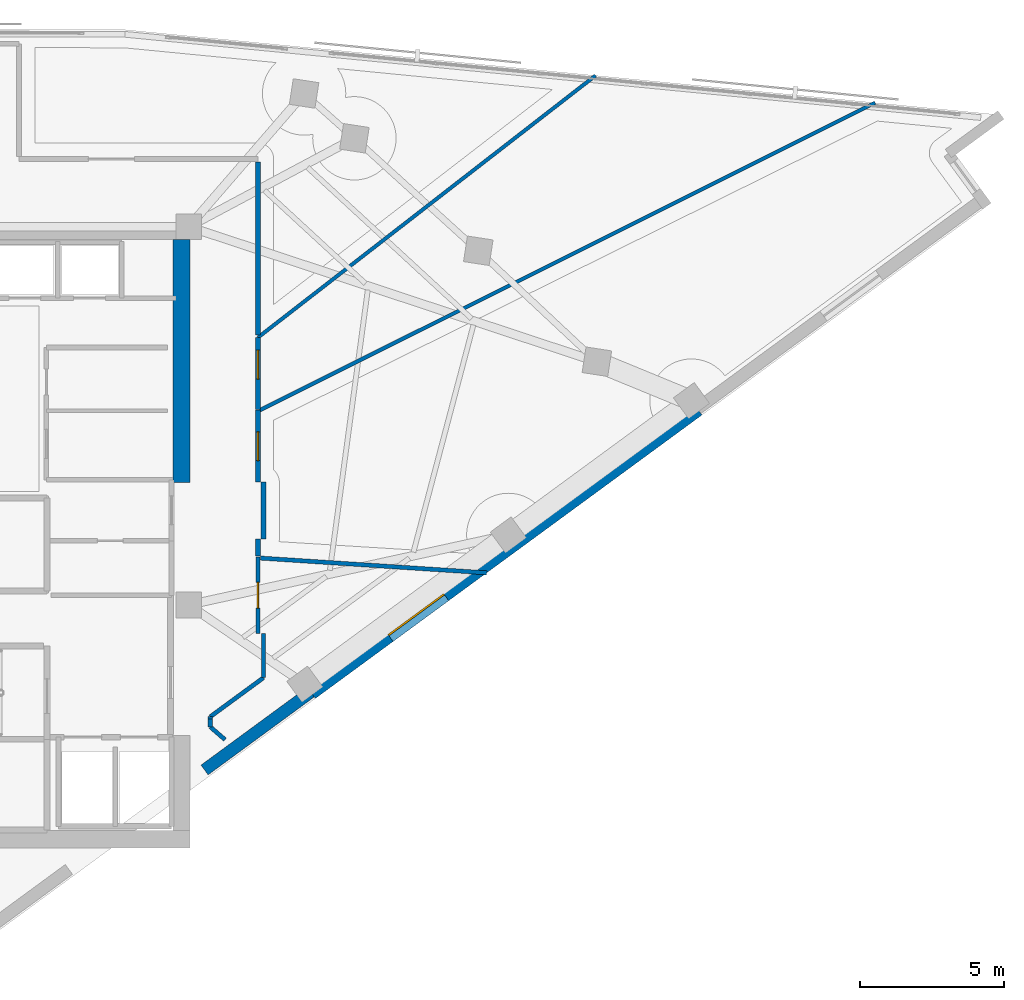
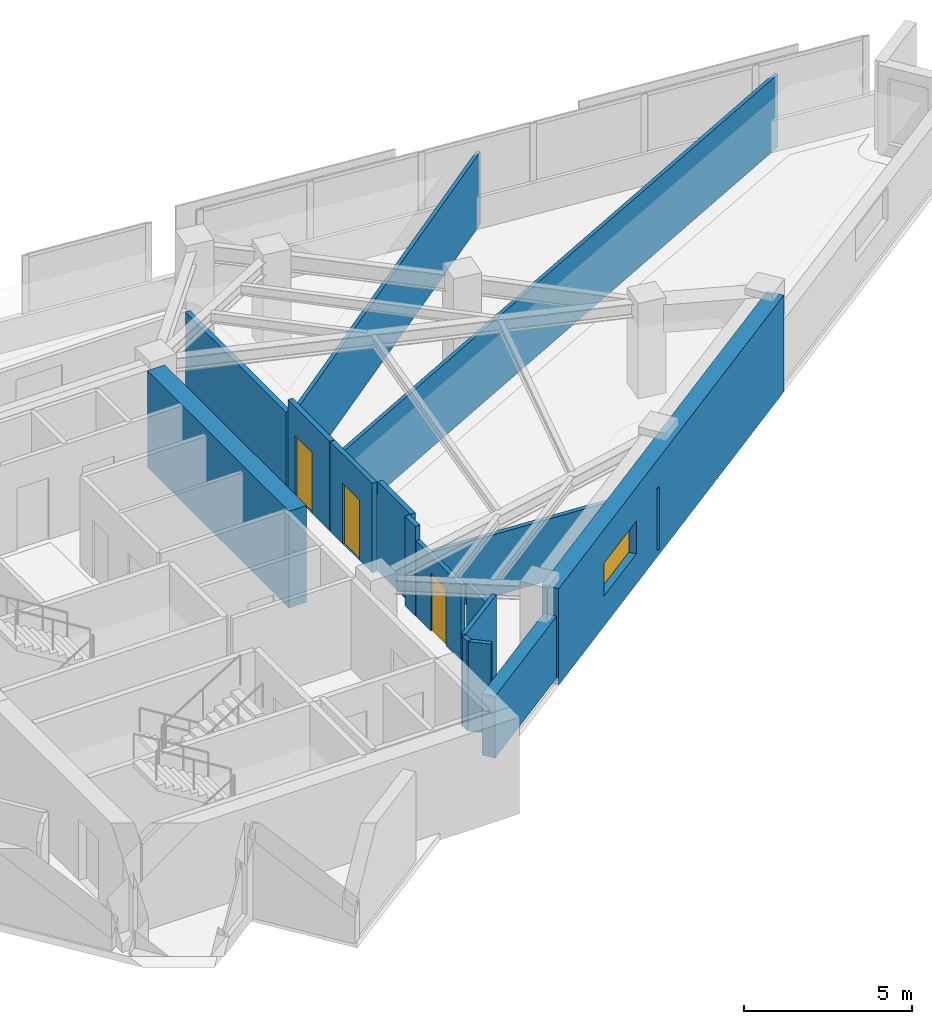
# One storey, part 10 of 13: 17 walls, 3 doors, 1 window, 4 openings.
"""IFC4 building model written with IfcOpenShell, lengths in metres."""

from ifc_helpers import new_model, si_unit, direction, frame, frame_2d, origin, place, context, subcontext, project, spatial, rectangle, extrude, material, layer, layer_set, type_object, element, fill, save


model = new_model("IFC4")

# Units and contexts
model_context = context("Model", 3, precision=1e-05, world=origin(), true_north=direction((0.0, 1.0)))
body_context = subcontext(model_context, "Body", "Model", "MODEL_VIEW")
ifc_project = project(units=[si_unit("LENGTHUNIT", "METRE"), si_unit("AREAUNIT", "SQUARE_METRE"), si_unit("VOLUMEUNIT", "CUBIC_METRE"), si_unit("PLANEANGLEUNIT", "RADIAN"), si_unit("MASSUNIT", "GRAM", prefix="KILO")], contexts=[model_context])

# Site, building, storey
site_placement = place(None, origin())
site = spatial("IfcSite", under=ifc_project, at=site_placement, CompositionType="ELEMENT")
building_placement = place(site_placement, origin())
building = spatial("IfcBuilding", under=site, at=building_placement, Name="Narakoshi Arena Tower", CompositionType="ELEMENT")
storey_placement = place(building_placement, frame((0.0, 0.0, 243.139892578125)))
storey = spatial("IfcBuildingStorey", under=building, at=storey_placement, Name="L66", CompositionType="ELEMENT", Elevation=243.139892578125)

# Wall
ifc_material_1 = material(Name="Concrete C50/60", Category="concrete")
ifc_layer_1 = layer(ifc_material_1, 0.60009765625)
ifc_layer_set_1 = layer_set([ifc_layer_1], Name="Concrete C50/60")
wall_type_1 = type_object("IfcWallType", Name="WL-CORE-600", PredefinedType="SHEAR", material=ifc_layer_set_1)
wall_1_placement = place(storey_placement, frame((85.300048828125, 47.60009765625, -0.260009765625), z_axis=(0.0, 0.0, 1.0), x_axis=(0.0, 1.0, 0.0)))
element("IfcWall", 1, at=wall_1_placement, inside=storey, type_object=wall_type_1, Name="L66 Main Core Shear Wall CW-MN-E", PredefinedType="SHEAR", context=body_context, shape_type="SweptSolid", body=[
    extrude(rectangle(XDim=8.449951171875, YDim=0.60009765625, at=frame_2d((4.22509765625, 0.0))), origin(), (0.0, 0.0, 1.0), 3.52001953125),
])

# Wall, opening, door
ifc_material_2 = material(Name="Gypsum plasterboard fire-rated partition")
ifc_layer_2 = layer(ifc_material_2, 0.1650390625)
ifc_layer_set_2 = layer_set([ifc_layer_2], Name="Gypsum plasterboard fire-rated partition")
wall_type_2 = type_object("IfcWallType", Name="WL-CORR-165", PredefinedType="PARTITIONING", material=ifc_layer_set_2)
wall_2_placement = place(storey_placement, frame((87.955322265625, 47.6201171875, 0.0), z_axis=(0.0, 0.0, 1.0), x_axis=(0.0, 1.0, 0.0)))
wall_2 = element("IfcWall", 2, at=wall_2_placement, inside=storey, type_object=wall_type_2, Name="L66 Corridor Partition 03-1", PredefinedType="PARTITIONING", context=body_context, shape_type="SweptSolid", body=[
    extrude(rectangle(XDim=2.50048828125, YDim=0.1650390625, at=frame_2d((1.250244140625, 0.0))), origin(), (0.0, 0.0, 1.0), 3.260009765625),
])
opening_1_placement = place(wall_2_placement, frame((0.75048828125, 0.0, 0.0)))
opening_1 = element("IfcOpeningElement", 3, at=opening_1_placement, cuts=wall_2, Name="Opening D-06", PredefinedType="OPENING", context=body_context, shape_type="SweptSolid", body=[
    extrude(rectangle(XDim=1.0, YDim=2.199951171875, at=frame_2d((0.5, 1.10009765625))), frame((0.0, 0.092529296875, 0.0), z_axis=(0.0, -1.0, 0.0), x_axis=(1.0, 0.0, 0.0)), (0.0, 0.0, 1.0), 0.18505859375),
])
ifc_material_3 = material(Name="Stained oak solid-core timber", Category="wood")
door_type_1 = type_object("IfcDoorType", Name="DR-OFF-1000", OperationType="NOTDEFINED", PredefinedType="DOOR", material=ifc_material_3)
door_1_placement = place(opening_1_placement, frame((1.0, 0.0, 0.0), z_axis=(0.0, 0.0, 1.0), x_axis=(-1.0, 0.0, 0.0)))
door_1 = element("IfcDoor", 4, at=door_1_placement, inside=storey, type_object=door_type_1, Name="DR-L66-018", OperationType="SINGLE_SWING_RIGHT", OverallHeight=2.199951171875, OverallWidth=1.0, PredefinedType="DOOR", context=body_context, shape_type="SweptSolid", body=[
    extrude(rectangle(XDim=1.0, YDim=2.199951171875, at=frame_2d((0.5, 1.10009765625))), frame((0.0, 0.02490234375, 0.0), z_axis=(0.0, -1.0, 0.0), x_axis=(1.0, 0.0, 0.0)), (0.0, 0.0, 1.0), 0.050048828125),
])
fill(opening_1, door_1)

# Walls
wall_3_placement = place(storey_placement, frame((88.14990234375, 45.64990234375, 0.0), z_axis=(0.0, 0.0, 1.0), x_axis=(0.0, 1.0, 0.0)))
element("IfcWall", 5, at=wall_3_placement, inside=storey, type_object=wall_type_2, Name="L66 Corridor Partition 03-2", PredefinedType="PARTITIONING", context=body_context, shape_type="SweptSolid", body=[
    extrude(rectangle(XDim=1.97021484375, YDim=0.1650390625, at=frame_2d((0.985107421875, 0.0))), origin(), (0.0, 0.0, 1.0), 3.260009765625),
])
wall_4_placement = place(storey_placement, frame((87.955322265625, 45.0439453125, 0.0), z_axis=(0.0, 0.0, 1.0), x_axis=(0.0, 1.0, 0.0)))
element("IfcWall", 6, at=wall_4_placement, inside=storey, type_object=wall_type_2, Name="L66 Corridor Partition 03-3", PredefinedType="PARTITIONING", context=body_context, shape_type="SweptSolid", body=[
    extrude(rectangle(XDim=0.60595703125, YDim=0.1650390625, at=frame_2d((0.302978515625, 0.0))), origin(), (0.0, 0.0, 1.0), 3.260009765625),
])

# Wall, opening, door
wall_5_placement = place(storey_placement, frame((87.955322265625, 50.1474609375, 0.0), z_axis=(0.0, 0.0, 1.0), x_axis=(0.0, 1.0, 0.0)))
wall_5 = element("IfcWall", 7, at=wall_5_placement, inside=storey, type_object=wall_type_2, Name="L66 Corridor Partition 04-1", PredefinedType="PARTITIONING", context=body_context, shape_type="SweptSolid", body=[
    extrude(rectangle(XDim=2.500732421875, YDim=0.1650390625, at=frame_2d((1.25048828125, 0.0))), origin(), (0.0, 0.0, 1.0), 3.260009765625),
])
opening_2_placement = place(wall_5_placement, frame((1.05859375, 0.0, 0.0)))
opening_2 = element("IfcOpeningElement", 8, at=opening_2_placement, cuts=wall_5, Name="Opening D-06", PredefinedType="OPENING", context=body_context, shape_type="SweptSolid", body=[
    extrude(rectangle(XDim=1.0, YDim=2.199951171875, at=frame_2d((0.5, 1.10009765625))), frame((0.0, 0.092529296875, 0.0), z_axis=(0.0, -1.0, 0.0), x_axis=(1.0, 0.0, 0.0)), (0.0, 0.0, 1.0), 0.18505859375),
])
door_2_placement = place(opening_2_placement, frame((1.0, 0.0, 0.0), z_axis=(0.0, 0.0, 1.0), x_axis=(-1.0, 0.0, 0.0)))
door_2 = element("IfcDoor", 9, at=door_2_placement, inside=storey, type_object=door_type_1, Name="DR-L66-019", OperationType="SINGLE_SWING_LEFT", OverallHeight=2.199951171875, OverallWidth=1.0, PredefinedType="DOOR", context=body_context, shape_type="SweptSolid", body=[
    extrude(rectangle(XDim=1.0, YDim=2.199951171875, at=frame_2d((0.5, 1.10009765625))), frame((0.0, 0.02490234375, 0.0), z_axis=(0.0, -1.0, 0.0), x_axis=(1.0, 0.0, 0.0)), (0.0, 0.0, 1.0), 0.050048828125),
])
fill(opening_2, door_2)

# Wall
wall_6_placement = place(storey_placement, frame((87.955322265625, 52.742431640625, 0.0), z_axis=(0.0, 0.0, 1.0), x_axis=(0.0, 1.0, 0.0)))
element("IfcWall", 10, at=wall_6_placement, inside=storey, type_object=wall_type_2, Name="L66 Corridor Partition 05-2", PredefinedType="PARTITIONING", context=body_context, shape_type="SweptSolid", body=[
    extrude(rectangle(XDim=6.0185546875, YDim=0.1650390625, at=frame_2d((3.00927734375, 0.0))), origin(), (0.0, 0.0, 1.0), 2.7451171875),
])

# Wall, opening, window
ifc_layer_3 = layer(ifc_material_1, 0.550048828125)
ifc_layer_set_3 = layer_set([ifc_layer_3], Name="Concrete C50/60")
wall_type_3 = type_object("IfcWallType", Name="WL-LEG-550", PredefinedType="SHEAR", material=ifc_layer_set_3)
wall_7_placement = place(storey_placement, frame((89.79052734375, 40.31640625, -0.260009765625), z_axis=(0.0, 0.0, 1.0), x_axis=(0.806449218078, 0.591303355868, 0.0)))
wall_7 = element("IfcWall", 11, at=wall_7_placement, inside=storey, type_object=wall_type_3, Name="L66 Architectural Concrete Structural Wall LEGA-3", PredefinedType="SHEAR", context=body_context, shape_type="SweptSolid", body=[
    extrude(rectangle(XDim=16.673095703125, YDim=0.550048828125, at=frame_2d((8.33642578125, 0.0))), origin(), (0.0, 0.0, 1.0), 3.52001953125),
])
opening_3_placement = place(wall_7_placement, frame((3.353515625, 0.0, 1.10009765625)))
opening_3 = element("IfcOpeningElement", 12, at=opening_3_placement, cuts=wall_7, Name="Opening WN-04", PredefinedType="OPENING", context=body_context, shape_type="SweptSolid", body=[
    extrude(rectangle(XDim=2.39990234375, YDim=1.199951171875, at=frame_2d((1.199951171875, 0.60009765625))), frame((0.0, 0.284912109375, 0.0), z_axis=(0.0, -1.0, 0.0), x_axis=(1.0, 0.0, 0.0)), (0.0, 0.0, 1.0), 0.570068359375),
])
ifc_material_4 = material(Name="Bronze-tinted low-E laminated glass", Category="glass")
window_type = type_object("IfcWindowType", Name="WIN-SLT-24x12", PartitioningType="SINGLE_PANEL", PredefinedType="WINDOW", material=ifc_material_4)
window_placement = place(opening_3_placement, origin())
window = element("IfcWindow", 13, at=window_placement, inside=storey, type_object=window_type, Name="L66 LEGA3 Horizontal Slot Window 1", OverallHeight=1.199951171875, OverallWidth=2.39990234375, PartitioningType="SINGLE_PANEL", PredefinedType="WINDOW", context=body_context, shape_type="SweptSolid", body=[
    extrude(rectangle(XDim=2.39990234375, YDim=1.199951171875, at=frame_2d((1.199951171875, 0.60009765625))), frame((0.0, 0.030029296875, 0.0), z_axis=(0.0, -1.0, 0.0), x_axis=(1.0, 0.0, 0.0)), (0.0, 0.0, 1.0), 0.06005859375),
])
fill(opening_3, window)

# Walls
ifc_layer_4 = layer(ifc_material_2, 0.125)
ifc_layer_set_4 = layer_set([ifc_layer_4], Name="Gypsum plasterboard fire-rated partition")
wall_type_4 = type_object("IfcWallType", Name="WL-PART-125", PredefinedType="PARTITIONING", material=ifc_layer_set_4)
wall_8_placement = place(storey_placement, frame((88.021728515625, 50.12060546875, 0.0), z_axis=(0.0, 0.0, 1.0), x_axis=(0.89445781228, 0.447152347697, 0.0)))
element("IfcWall", 14, at=wall_8_placement, inside=storey, type_object=wall_type_4, Name="L66 Inter-Room Partition 03-04", PredefinedType="PARTITIONING", context=body_context, shape_type="SweptSolid", body=[
    extrude(rectangle(XDim=23.9169921875, YDim=0.125, at=frame_2d((11.95849609375, 0.0))), origin(), (0.0, 0.0, 1.0), 2.64501953125),
])
wall_9_placement = place(storey_placement, frame((87.955322265625, 52.648193359375, 0.0), z_axis=(0.0, 0.0, 1.0), x_axis=(0.790055667059, 0.613035107435, 0.0)))
element("IfcWall", 15, at=wall_9_placement, inside=storey, type_object=wall_type_4, Name="L66 Inter-Room Partition 04-05", PredefinedType="PARTITIONING", context=body_context, shape_type="SweptSolid", body=[
    extrude(rectangle(XDim=14.86474609375, YDim=0.125, at=frame_2d((7.432373046875, 0.0))), origin(), (0.0, 0.0, 1.0), 2.64501953125),
])
ifc_material_5 = material(Name="Precast concrete C45/55", Category="concrete")
ifc_layer_5 = layer(ifc_material_5, 0.419921875)
ifc_layer_set_5 = layer_set([ifc_layer_5], Name="Precast concrete C45/55")
wall_type_5 = type_object("IfcWallType", Name="WL-POD-420", PredefinedType="SOLIDWALL", material=ifc_layer_set_5)
wall_10_placement = place(storey_placement, frame((86.10009765625, 37.6103515625, 0.0), z_axis=(0.0, 0.0, 1.0), x_axis=(0.806432132361, 0.591326657521, 0.0)))
element("IfcWall", 16, at=wall_10_placement, inside=storey, type_object=wall_type_5, Name="L66 Architectural Concrete Facade Wall LEGA-2", PredefinedType="SOLIDWALL", context=body_context, shape_type="SweptSolid", body=[
    extrude(rectangle(XDim=4.576171875, YDim=0.419921875, at=frame_2d((2.2880859375, 0.0))), origin(), (0.0, 0.0, 1.0), 2.2451171875),
])

# Wall, opening, door
ifc_material_6 = material(Name="Moisture-resistant cement-board partition")
ifc_layer_6 = layer(ifc_material_6, 0.14501953125)
ifc_layer_set_6 = layer_set([ifc_layer_6], Name="Moisture-resistant cement-board partition")
wall_type_6 = type_object("IfcWallType", Name="WL-WET-145", PredefinedType="PARTITIONING", material=ifc_layer_set_6)
wall_11_placement = place(storey_placement, frame((87.955322265625, 42.35009765625, 0.0), z_axis=(0.0, 0.0, 1.0), x_axis=(0.0, 1.0, 0.0)))
wall_11 = element("IfcWall", 17, at=wall_11_placement, inside=storey, type_object=wall_type_6, Name="L66 Corridor Partition 02-1", PredefinedType="PARTITIONING", context=body_context, shape_type="SweptSolid", body=[
    extrude(rectangle(XDim=2.669921875, YDim=0.14501953125, at=frame_2d((1.3349609375, 0.0))), origin(), (0.0, 0.0, 1.0), 2.7451171875),
])
opening_4_placement = place(wall_11_placement, frame((0.885009765625, 0.0, 0.0)))
opening_4 = element("IfcOpeningElement", 18, at=opening_4_placement, cuts=wall_11, Name="Opening D-08", PredefinedType="OPENING", context=body_context, shape_type="SweptSolid", body=[
    extrude(rectangle(XDim=0.89990234375, YDim=2.10009765625, at=frame_2d((0.449951171875, 1.050048828125))), frame((0.0, 0.08251953125, 0.0), z_axis=(0.0, -1.0, 0.0), x_axis=(1.0, 0.0, 0.0)), (0.0, 0.0, 1.0), 0.1650390625),
])
ifc_material_7 = material(Name="Moisture-resistant laminate timber", Category="wood")
door_type_2 = type_object("IfcDoorType", Name="DR-WC-900", OperationType="NOTDEFINED", PredefinedType="DOOR", material=ifc_material_7)
door_3_placement = place(opening_4_placement, frame((0.89990234375, 0.0, 0.0), z_axis=(0.0, 0.0, 1.0), x_axis=(-1.0, 0.0, 0.0)))
door_3 = element("IfcDoor", 19, at=door_3_placement, inside=storey, type_object=door_type_2, Name="DR-L66-017", OperationType="SINGLE_SWING_LEFT", OverallHeight=2.10009765625, OverallWidth=0.89990234375, PredefinedType="DOOR", context=body_context, shape_type="SweptSolid", body=[
    extrude(rectangle(XDim=0.89990234375, YDim=2.10009765625, at=frame_2d((0.449951171875, 1.050048828125))), frame((0.0, 0.02490234375, 0.0), z_axis=(0.0, -1.0, 0.0), x_axis=(1.0, 0.0, 0.0)), (0.0, 0.0, 1.0), 0.050048828125),
])
fill(opening_4, door_3)

# Walls
wall_12_placement = place(storey_placement, frame((86.300048828125, 39.4619140625, 0.0), z_axis=(0.0, 0.0, 1.0), x_axis=(0.80642868075, 0.591331364689, 0.0)))
element("IfcWall", 20, at=wall_12_placement, inside=storey, type_object=wall_type_6, Name="L66 Corridor Partition 02-2", PredefinedType="PARTITIONING", context=body_context, shape_type="SweptSolid", body=[
    extrude(rectangle(XDim=2.2939453125, YDim=0.14501953125, at=frame_2d((1.14697265625, 0.0))), origin(), (0.0, 0.0, 1.0), 3.260009765625),
])
wall_13_placement = place(storey_placement, frame((88.14990234375, 40.818359375, 0.0), z_axis=(0.0, 0.0, 1.0), x_axis=(0.0, 1.0, 0.0)))
element("IfcWall", 21, at=wall_13_placement, inside=storey, type_object=wall_type_6, Name="L66 Corridor Partition 02-3", PredefinedType="PARTITIONING", context=body_context, shape_type="SweptSolid", body=[
    extrude(rectangle(XDim=1.53173828125, YDim=0.14501953125, at=frame_2d((0.765869140625, 0.0))), origin(), (0.0, 0.0, 1.0), 2.7451171875),
])
wall_14_placement = place(storey_placement, frame((86.300048828125, 39.3876953125, 0.0), z_axis=(0.0, 0.0, 1.0), x_axis=(0.0, 1.0, 0.0)))
element("IfcWall", 22, at=wall_14_placement, inside=storey, type_object=wall_type_6, Name="L66 Corridor Partition 02-4", PredefinedType="PARTITIONING", context=body_context, shape_type="SweptSolid", body=[
    extrude(rectangle(XDim=0.07421875, YDim=0.14501953125, at=frame_2d((0.037109375, 0.0))), origin(), (0.0, 0.0, 1.0), 3.260009765625),
])
wall_15_placement = place(storey_placement, frame((88.039794921875, 44.978515625, 0.0), z_axis=(0.0, 0.0, 1.0), x_axis=(0.997876609911, -0.06513272136, 0.0)))
element("IfcWall", 23, at=wall_15_placement, inside=storey, type_object=wall_type_6, Name="L66 Inter-Room Partition 02-03", PredefinedType="PARTITIONING", context=body_context, shape_type="SweptSolid", body=[
    extrude(rectangle(XDim=7.890380859375, YDim=0.14501953125, at=frame_2d((3.9453125, 0.0))), origin(), (0.0, 0.0, 1.0), 2.2451171875),
])
wall_16_placement = place(storey_placement, frame((86.810791015625, 38.66455078125, 0.0), z_axis=(0.0, 0.0, 1.0), x_axis=(-0.755343493646, 0.65532908268, 0.0)))
element("IfcWall", 24, at=wall_16_placement, inside=storey, type_object=wall_type_6, Name="L66 Room Enclosure Partition 02-1", PredefinedType="PARTITIONING", context=body_context, shape_type="SweptSolid", body=[
    extrude(rectangle(XDim=0.67626953125, YDim=0.14501953125, at=frame_2d((0.338134765625, 0.0))), origin(), (0.0, 0.0, 1.0), 3.260009765625),
])
wall_17_placement = place(storey_placement, frame((86.300048828125, 39.107666015625, 0.0), z_axis=(0.0, 0.0, 1.0), x_axis=(0.0, 1.0, 0.0)))
element("IfcWall", 25, at=wall_17_placement, inside=storey, type_object=wall_type_6, Name="L66 Room Enclosure Partition 02-2", PredefinedType="PARTITIONING", context=body_context, shape_type="SweptSolid", body=[
    extrude(rectangle(XDim=0.280029296875, YDim=0.14501953125, at=frame_2d((0.14013671875, 0.0))), origin(), (0.0, 0.0, 1.0), 3.260009765625),
])

save(model, "model.ifc")
